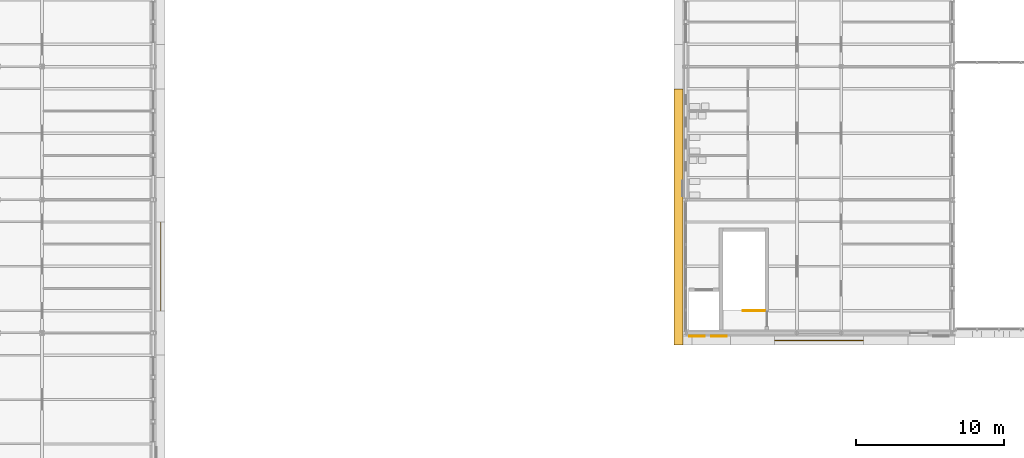
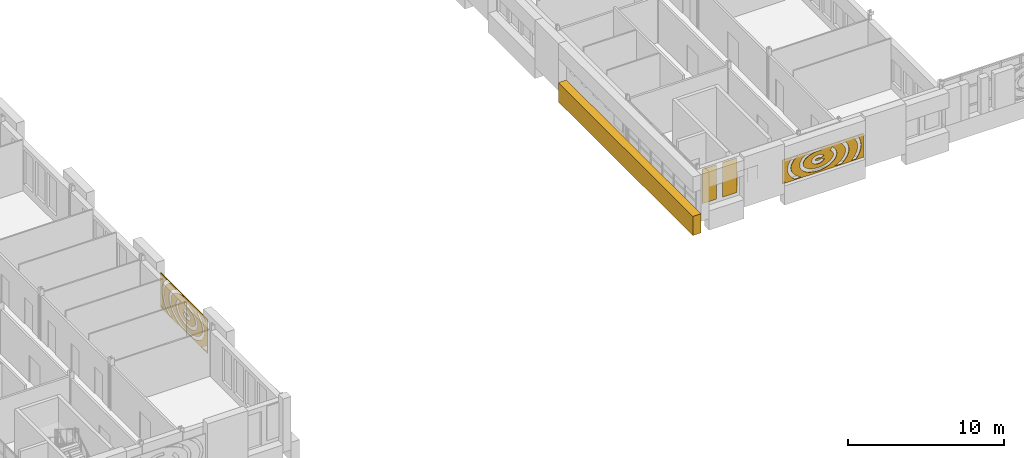
# One storey, part 137 of 154: 5 coverings, 1 railing.
"""IFC4 building model written with IfcOpenShell, lengths in metres."""

from ifc_helpers import new_model, si_unit, direction, frame, origin, origin_2d, place, context, subcontext, project, spatial, polyline, circle, outline, extrude, material, layer, layer_set, type_object, element, save


model = new_model("IFC4")

# Units and contexts
model_context = context("Model", 3, precision=1e-05, world=origin(), true_north=direction((0.0, 1.0)))
body_context = subcontext(model_context, "Body", "Model", "MODEL_VIEW")
ifc_project = project(units=[si_unit("LENGTHUNIT", "METRE"), si_unit("AREAUNIT", "SQUARE_METRE"), si_unit("VOLUMEUNIT", "CUBIC_METRE"), si_unit("PLANEANGLEUNIT", "RADIAN"), si_unit("MASSUNIT", "GRAM", prefix="KILO")], contexts=[model_context])

# Site, building, storey
site_placement = place(None, origin())
site = spatial("IfcSite", under=ifc_project, at=site_placement, CompositionType="ELEMENT")
building_placement = place(site_placement, origin())
building = spatial("IfcBuilding", under=site, at=building_placement, Name="Golden Quay Civic Hall", CompositionType="ELEMENT")
storey_placement = place(building_placement, frame((0.0, 0.0, 14.39990234375)))
storey = spatial("IfcBuildingStorey", under=building, at=storey_placement, Name="L03", CompositionType="ELEMENT", Elevation=14.39990234375)

# Coverings
ifc_material_1 = material(Name="Aluminium, golden anodised, perforated", Category="aluminium")
ifc_layer_1 = layer(ifc_material_1, 0.0400390625)
ifc_layer_set_1 = layer_set([ifc_layer_1], Name="Perforated screen panel 6000 x 1880 x 40")
covering_type_1 = type_object("IfcCoveringType", Name="Perforated screen panel 6000 x 1880 x 40", PredefinedType="CLADDING", material=ifc_layer_set_1)
covering_1_placement = place(storey_placement, frame((63.0, -0.5, 1.5400390625), z_axis=(0.0, -1.0, 0.0), x_axis=(1.0, 0.0, 0.0)))
element("IfcCovering", 1, at=covering_1_placement, inside=storey, type_object=covering_type_1, Name="Perforated screen panel 6000 x 1880 x 40 L03 2", PredefinedType="CLADDING", context=body_context, shape_type="SweptSolid", body=[
    extrude(outline(polyline([(-3.0, -0.93994140625), (3.0, -0.93994140625), (3.0, 0.93994140625), (-3.0, 0.93994140625), (-3.0, -0.93994140625)]), holes=[polyline([(-0.148681640625, 0.11083984375), (-0.189208984375, 0.136962890625), (-0.24951171875, 0.158447265625), (-0.32177734375, 0.169677734375), (-0.37255859375, 0.169921875), (-0.422119140625, 0.164306640625), (-0.48828125, 0.146484375), (-0.53759765625, 0.12158203125), (-0.55810546875, 0.1044921875), (-0.571533203125, 0.08642578125), (-0.571044921875, 0.07275390625), (-0.556396484375, 0.053466796875), (-0.534423828125, 0.036376953125), (-0.502685546875, 0.019287109375), (-0.462646484375, 0.0048828125), (-0.41650390625, -0.00537109375), (-0.34130859375, -0.010498046875), (-0.26708984375, -0.00244140625), (-0.202880859375, 0.016845703125), (-0.169921875, 0.03369140625), (-0.146484375, 0.051025390625), (-0.133056640625, 0.06591796875), (-0.124267578125, 0.08349609375), (0.106201171875, -0.02099609375), (0.077880859375, -0.073974609375), (0.04541015625, -0.114990234375), (-0.001220703125, -0.156982421875), (-0.04150390625, -0.184326171875), (-0.100830078125, -0.214599609375), (-0.1748046875, -0.240234375), (-0.220947265625, -0.251220703125), (-0.2998046875, -0.26171875), (-0.37255859375, -0.262939453125), (-0.412353515625, -0.260498046875), (-0.49853515625, -0.2470703125), (-0.56591796875, -0.2275390625), (-0.6015625, -0.21337890625), (-0.668212890625, -0.17822265625), (-0.7080078125, -0.149658203125), (-0.736328125, -0.1240234375), (-0.761962890625, -0.095703125), (-0.7841796875, -0.064208984375), (-0.802490234375, -0.02978515625), (-0.81591796875, 0.007080078125), (-0.825927734375, 0.06591796875), (-0.822509765625, 0.123779296875), (-0.813232421875, 0.16162109375), (-0.799072265625, 0.197021484375), (-0.780517578125, 0.229736328125), (-0.758544921875, 0.260009765625), (-0.70556640625, 0.3115234375), (-0.6435546875, 0.352783203125), (-0.574462890625, 0.384521484375), (-0.5, 0.40673828125), (-0.461181640625, 0.414306640625), (-0.389404296875, 0.42236328125), (-0.30908203125, 0.422119140625), (-0.261962890625, 0.417724609375), (-0.183837890625, 0.402587890625), (-0.11767578125, 0.38134765625), (-0.073974609375, 0.362060546875), (-0.017578125, 0.328857421875), (0.021240234375, 0.29833984375), (0.063720703125, 0.25341796875), (-0.12939453125, 0.090087890625), (-0.148681640625, 0.11083984375)]), polyline([(-0.28271484375, 0.727294921875), (-0.37158203125, 0.728515625), (-0.460205078125, 0.725341796875), (-0.54833984375, 0.718017578125), (-0.63525390625, 0.70654296875), (-0.72021484375, 0.69140625), (-0.802734375, 0.672119140625), (-0.88232421875, 0.64892578125), (-0.95849609375, 0.62255859375), (-1.030517578125, 0.592529296875), (-1.098388671875, 0.559814453125), (-1.1611328125, 0.524169921875), (-1.21875, 0.486083984375), (-1.27099609375, 0.4462890625), (-1.317138671875, 0.404541015625), (-1.357421875, 0.36181640625), (-1.391357421875, 0.318115234375), (-1.419189453125, 0.274169921875), (-1.441162109375, 0.230224609375), (-1.457275390625, 0.186279296875), (-1.4677734375, 0.142578125), (-1.472900390625, 0.09912109375), (-1.472412109375, 0.0556640625), (-1.466796875, 0.01220703125), (-1.455810546875, -0.031494140625), (-1.43896484375, -0.075439453125), (-1.416259765625, -0.119384765625), (-1.3876953125, -0.163330078125), (-1.352783203125, -0.206787109375), (-1.31201171875, -0.24951171875), (-1.264892578125, -0.291015625), (-1.21240234375, -0.330810546875), (-1.154052734375, -0.368408203125), (-1.090576171875, -0.40380859375), (-1.022216796875, -0.436279296875), (-0.94970703125, -0.4658203125), (-0.873046875, -0.491943359375), (-0.793212890625, -0.514404296875), (-0.710205078125, -0.533203125), (-0.625, -0.548095703125), (-0.5380859375, -0.55908203125), (-0.449951171875, -0.56591796875), (-0.361083984375, -0.568603515625), (-0.272216796875, -0.56689453125), (-0.18359375, -0.561279296875), (-0.096435546875, -0.55126953125), (-0.0107421875, -0.537353515625), (0.07275390625, -0.51953125), (0.153564453125, -0.497802734375), (0.23095703125, -0.47265625), (0.3046875, -0.44384765625), (0.3740234375, -0.412109375), (0.438720703125, -0.37744140625), (0.498291015625, -0.34033203125), (0.552490234375, -0.301025390625), (0.600830078125, -0.260009765625), (0.643310546875, -0.217529296875), (0.6796875, -0.17431640625), (0.709716796875, -0.13037109375), (0.73388671875, -0.086181640625), (0.752197265625, -0.042236328125), (0.7646484375, 0.00146484375), (0.771484375, 0.044921875), (0.773193359375, 0.08837890625), (0.76953125, 0.1318359375), (0.760498046875, 0.17529296875), (0.745849609375, 0.21923828125), (0.725341796875, 0.26318359375), (0.698974609375, 0.307373046875), (0.666259765625, 0.35107421875), (0.627685546875, 0.39404296875), (0.5830078125, 0.43603515625), (0.528564453125, 0.4794921875), (0.6865234375, 0.677001953125), (0.74462890625, 0.630615234375), (0.8046875, 0.57470703125), (0.8583984375, 0.515625), (0.905517578125, 0.453369140625), (0.945556640625, 0.3876953125), (0.97802734375, 0.3193359375), (1.002685546875, 0.24853515625), (1.018798828125, 0.17578125), (1.02587890625, 0.10205078125), (1.02392578125, 0.027587890625), (1.01318359375, -0.046142578125), (0.993408203125, -0.11865234375), (0.96484375, -0.189208984375), (0.928466796875, -0.25732421875), (0.884521484375, -0.322509765625), (0.83349609375, -0.38427734375), (0.768310546875, -0.449462890625), (0.704833984375, -0.5029296875), (0.643310546875, -0.547607421875), (0.561767578125, -0.598388671875), (0.48291015625, -0.640380859375), (0.399658203125, -0.67822265625), (0.312744140625, -0.7119140625), (0.228759765625, -0.7392578125), (0.12890625, -0.76611328125), (0.032958984375, -0.78662109375), (-0.06494140625, -0.80224609375), (-0.164306640625, -0.813232421875), (-0.2646484375, -0.819580078125), (-0.359619140625, -0.8212890625), (-0.460205078125, -0.818603515625), (-0.560546875, -0.81103515625), (-0.659423828125, -0.798828125), (-0.76318359375, -0.780517578125), (-0.852294921875, -0.760498046875), (-0.945068359375, -0.734375), (-1.03466796875, -0.7041015625), (-1.12060546875, -0.669189453125), (-1.202880859375, -0.63037109375), (-1.280517578125, -0.58740234375), (-1.361083984375, -0.535400390625), (-1.421142578125, -0.489990234375), (-1.4833984375, -0.435546875), (-1.546875, -0.369140625), (-1.59619140625, -0.306640625), (-1.63818359375, -0.24072265625), (-1.6669921875, -0.184814453125), (-1.694580078125, -0.11474609375), (-1.7138671875, -0.042724609375), (-1.724365234375, 0.03076171875), (-1.724853515625, 0.12060546875), (-1.715576171875, 0.194091796875), (-1.70166015625, 0.252197265625), (-1.67626953125, 0.32373046875), (-1.642822265625, 0.392822265625), (-1.6015625, 0.458984375), (-1.552978515625, 0.52197265625), (-1.497802734375, 0.58154296875), (-1.436279296875, 0.637451171875), (-1.36181640625, 0.69482421875), (-1.28955078125, 0.7421875), (-1.219482421875, 0.78173828125), (-1.130615234375, 0.824951171875), (-1.0517578125, 0.857666015625), (-0.98779296875, 0.8798828125), (-0.085693359375, 0.8798828125), (-0.103515625, 0.71240234375), (-0.194091796875, 0.72216796875), (-0.28271484375, 0.727294921875)]), polyline([(-1.856689453125, 0.8798828125), (-1.965087890625, 0.802001953125), (-2.039794921875, 0.73876953125), (-2.107177734375, 0.673095703125), (-2.167236328125, 0.605712890625), (-2.219482421875, 0.536865234375), (-2.26416015625, 0.466552734375), (-2.30126953125, 0.395751953125), (-2.330322265625, 0.32421875), (-2.35205078125, 0.252197265625), (-2.3662109375, 0.180419921875), (-2.372802734375, 0.108154296875), (-2.3720703125, 0.0361328125), (-2.36376953125, -0.035888671875), (-2.347900390625, -0.10791015625), (-2.32470703125, -0.1796875), (-2.293701171875, -0.251220703125), (-2.255126953125, -0.322021484375), (-2.208740234375, -0.391845703125), (-2.15478515625, -0.46044921875), (-2.093017578125, -0.527587890625), (-2.024169921875, -0.5927734375), (-1.947998046875, -0.655517578125), (-1.86474609375, -0.715576171875), (-1.77490234375, -0.7724609375), (-1.67919921875, -0.825927734375), (-1.568115234375, -0.8798828125), (-2.06884765625, -0.8798828125), (-2.09912109375, -0.858154296875), (-2.18798828125, -0.78515625), (-2.2763671875, -0.701904296875), (-2.34423828125, -0.628173828125), (-2.41064453125, -0.544189453125), (-2.468994140625, -0.457275390625), (-2.5185546875, -0.3671875), (-2.55908203125, -0.27490234375), (-2.590576171875, -0.18017578125), (-2.6123046875, -0.083740234375), (-2.6240234375, 0.013916015625), (-2.625732421875, 0.11181640625), (-2.617431640625, 0.2099609375), (-2.59619140625, 0.3193359375), (-2.56689453125, 0.414306640625), (-2.5283203125, 0.50732421875), (-2.48046875, 0.597900390625), (-2.424072265625, 0.685546875), (-2.365478515625, 0.7626953125), (-2.293212890625, 0.8447265625), (-2.257080078125, 0.8798828125), (-1.856689453125, 0.8798828125)]), polyline([(0.867919921875, -0.8798828125), (0.981689453125, -0.82470703125), (1.077392578125, -0.77099609375), (1.1669921875, -0.714111328125), (1.25, -0.65380859375), (1.325927734375, -0.591064453125), (1.394775390625, -0.52587890625), (1.456298828125, -0.458740234375), (1.510009765625, -0.39013671875), (1.55615234375, -0.3203125), (1.5947265625, -0.24951171875), (1.62548828125, -0.177978515625), (1.6484375, -0.106201171875), (1.6640625, -0.0341796875), (1.672119140625, 0.037841796875), (1.672607421875, 0.110107421875), (1.666015625, 0.18212890625), (1.651611328125, 0.254150390625), (1.6298828125, 0.325927734375), (1.600341796875, 0.3974609375), (1.563232421875, 0.468505859375), (1.518310546875, 0.53857421875), (1.4658203125, 0.607421875), (1.405517578125, 0.6748046875), (1.337890625, 0.740234375), (1.26318359375, 0.803466796875), (1.156982421875, 0.8798828125), (1.557373046875, 0.8798828125), (1.59130859375, 0.8466796875), (1.663818359375, 0.7646484375), (1.72265625, 0.687744140625), (1.779296875, 0.60009765625), (1.83203125, 0.499267578125), (1.865966796875, 0.416748046875), (1.8955078125, 0.321533203125), (1.9169921875, 0.21240234375), (1.925048828125, 0.127197265625), (1.925048828125, 0.029296875), (1.91259765625, -0.081298828125), (1.89111328125, -0.177734375), (1.860107421875, -0.2724609375), (1.819580078125, -0.364990234375), (1.770263671875, -0.455078125), (1.71240234375, -0.5419921875), (1.652099609375, -0.61865234375), (1.578125, -0.7001953125), (1.49658203125, -0.777587890625), (1.40771484375, -0.851318359375), (1.368896484375, -0.8798828125), (0.867919921875, -0.8798828125)]), polyline([(-2.93994140625, -0.732177734375), (-2.83642578125, -0.843017578125), (-2.79638671875, -0.8798828125), (-2.93994140625, -0.8798828125), (-2.93994140625, -0.732177734375)]), polyline([(2.178955078125, -0.80029296875), (2.255615234375, -0.71533203125), (2.323974609375, -0.62841796875), (2.38427734375, -0.5400390625), (2.436279296875, -0.4501953125), (2.47998046875, -0.359375), (2.51513671875, -0.267578125), (2.5419921875, -0.17529296875), (2.560791015625, -0.082763671875), (2.571044921875, 0.010009765625), (2.5732421875, 0.10302734375), (2.56689453125, 0.196044921875), (2.552490234375, 0.288818359375), (2.52978515625, 0.381103515625), (2.498779296875, 0.47314453125), (2.459228515625, 0.564453125), (2.41162109375, 0.65478515625), (2.35546875, 0.744140625), (2.291015625, 0.831787109375), (2.25048828125, 0.8798828125), (2.568603515625, 0.8798828125), (2.6328125, 0.77734375), (2.685302734375, 0.67822265625), (2.73291015625, 0.568603515625), (2.774169921875, 0.447021484375), (2.801513671875, 0.3330078125), (2.819091796875, 0.218505859375), (2.826171875, 0.10302734375), (2.822998046875, -0.01220703125), (2.809814453125, -0.127197265625), (2.7890625, -0.23046875), (2.753173828125, -0.353515625), (2.710205078125, -0.464111328125), (2.662109375, -0.56396484375), (2.595947265625, -0.678466796875), (2.525390625, -0.781494140625), (2.447509765625, -0.8798828125), (2.097412109375, -0.8798828125), (2.178955078125, -0.80029296875)])]), origin(), (0.0, 0.0, 1.0), 0.0400390625),
])
ifc_material_2 = material(Name="Aluminium, golden anodised, perforated", Category="aluminium")
ifc_layer_2 = layer(ifc_material_2, 0.0400390625)
ifc_layer_set_2 = layer_set([ifc_layer_2], Name="Perforated screen panel 6000 x 2700 x 40")
covering_type_2 = type_object("IfcCoveringType", Name="Perforated screen panel 6000 x 2700 x 40", PredefinedType="CLADDING", material=ifc_layer_set_2)
covering_2_placement = place(storey_placement, frame((18.5, 4.5, 1.9501953125), z_axis=(1.0, 0.0, 0.0), x_axis=(0.0, 1.0, 0.0)))
element("IfcCovering", 2, at=covering_2_placement, inside=storey, type_object=covering_type_2, Name="Perforated screen panel 6000 x 2700 x 40 L03 4", PredefinedType="CLADDING", context=body_context, shape_type="SweptSolid", body=[
    extrude(outline(polyline([(-3.0, -1.35009765625), (3.0, -1.35009765625), (3.0, 1.35009765625), (-3.0, 1.35009765625), (-3.0, -1.35009765625)]), holes=[polyline([(-0.14599609375, 0.114013671875), (-0.1875, 0.140625), (-0.248291015625, 0.16259765625), (-0.321533203125, 0.173828125), (-0.372802734375, 0.17431640625), (-0.446533203125, 0.163818359375), (-0.5087890625, 0.142578125), (-0.5517578125, 0.1162109375), (-0.575439453125, 0.088134765625), (-0.577392578125, 0.07763671875), (-0.57177734375, 0.065185546875), (-0.55908203125, 0.050537109375), (-0.53662109375, 0.03271484375), (-0.485107421875, 0.007568359375), (-0.4169921875, -0.009521484375), (-0.36669921875, -0.014404296875), (-0.3154296875, -0.013427734375), (-0.26611328125, -0.006591796875), (-0.22119140625, 0.00537109375), (-0.183349609375, 0.021240234375), (-0.154296875, 0.0390625), (-0.129638671875, 0.063232421875), (-0.120361328125, 0.08154296875), (0.102294921875, -0.019287109375), (0.07421875, -0.07177734375), (0.042236328125, -0.11181640625), (-0.00390625, -0.153564453125), (-0.043701171875, -0.1806640625), (-0.1025390625, -0.210693359375), (-0.176025390625, -0.236083984375), (-0.2216796875, -0.246826171875), (-0.2998046875, -0.25732421875), (-0.372314453125, -0.2587890625), (-0.412109375, -0.25634765625), (-0.49755859375, -0.242919921875), (-0.564453125, -0.223388671875), (-0.599853515625, -0.209716796875), (-0.666015625, -0.174560546875), (-0.705078125, -0.146484375), (-0.7333984375, -0.12109375), (-0.758544921875, -0.093017578125), (-0.780517578125, -0.06201171875), (-0.798583984375, -0.0283203125), (-0.811767578125, 0.008056640625), (-0.821533203125, 0.066162109375), (-0.818359375, 0.123046875), (-0.809326171875, 0.159912109375), (-0.79541015625, 0.195068359375), (-0.777099609375, 0.227294921875), (-0.75537109375, 0.257080078125), (-0.702880859375, 0.30810546875), (-0.6416015625, 0.34912109375), (-0.572998046875, 0.38037109375), (-0.4990234375, 0.402587890625), (-0.460693359375, 0.41015625), (-0.388916015625, 0.41796875), (-0.309326171875, 0.41796875), (-0.262451171875, 0.41357421875), (-0.184814453125, 0.398681640625), (-0.118896484375, 0.37744140625), (-0.075927734375, 0.3583984375), (-0.02001953125, 0.3251953125), (0.018310546875, 0.295166015625), (0.060546875, 0.25048828125), (-0.126220703125, 0.0927734375), (-0.14599609375, 0.114013671875)]), polyline([(-0.282470703125, 0.731689453125), (-0.37158203125, 0.732666015625), (-0.460693359375, 0.7294921875), (-0.548828125, 0.72216796875), (-0.635986328125, 0.710693359375), (-0.720947265625, 0.6953125), (-0.8037109375, 0.676025390625), (-0.883544921875, 0.653076171875), (-0.9599609375, 0.62646484375), (-1.0322265625, 0.596435546875), (-1.100341796875, 0.5634765625), (-1.163330078125, 0.52783203125), (-1.22119140625, 0.48974609375), (-1.273681640625, 0.449462890625), (-1.320068359375, 0.40771484375), (-1.360595703125, 0.364501953125), (-1.394775390625, 0.32080078125), (-1.423095703125, 0.2763671875), (-1.445068359375, 0.231689453125), (-1.46142578125, 0.1875), (-1.471923828125, 0.143310546875), (-1.47705078125, 0.099365234375), (-1.476806640625, 0.055419921875), (-1.470947265625, 0.011474609375), (-1.459716796875, -0.03271484375), (-1.44287109375, -0.0771484375), (-1.419921875, -0.12158203125), (-1.39111328125, -0.166015625), (-1.356201171875, -0.209716796875), (-1.31494140625, -0.252685546875), (-1.267578125, -0.294189453125), (-1.214599609375, -0.334228515625), (-1.15625, -0.372314453125), (-1.092529296875, -0.40771484375), (-1.02392578125, -0.440185546875), (-0.951171875, -0.4697265625), (-0.874267578125, -0.49609375), (-0.794189453125, -0.5185546875), (-0.711181640625, -0.53759765625), (-0.625732421875, -0.552490234375), (-0.53857421875, -0.563232421875), (-0.4501953125, -0.570068359375), (-0.361083984375, -0.57275390625), (-0.27197265625, -0.5712890625), (-0.183349609375, -0.5654296875), (-0.095703125, -0.555419921875), (-0.010009765625, -0.54150390625), (0.07373046875, -0.523681640625), (0.15478515625, -0.501953125), (0.232421875, -0.4765625), (0.306396484375, -0.447998046875), (0.3759765625, -0.416015625), (0.44091796875, -0.381103515625), (0.500732421875, -0.343994140625), (0.55517578125, -0.304443359375), (0.603759765625, -0.26318359375), (0.646484375, -0.220458984375), (0.68310546875, -0.1767578125), (0.71337890625, -0.132568359375), (0.73779296875, -0.088134765625), (0.756103515625, -0.043701171875), (0.768798828125, 0.00048828125), (0.77587890625, 0.04443359375), (0.777587890625, 0.08837890625), (0.773681640625, 0.13232421875), (0.764404296875, 0.176513671875), (0.749755859375, 0.220703125), (0.72900390625, 0.265380859375), (0.702392578125, 0.309814453125), (0.669677734375, 0.353759765625), (0.630615234375, 0.39697265625), (0.585693359375, 0.439208984375), (0.53125, 0.482666015625), (0.683837890625, 0.673583984375), (0.741943359375, 0.627197265625), (0.8017578125, 0.57177734375), (0.855224609375, 0.512939453125), (0.902099609375, 0.45068359375), (0.94189453125, 0.385498046875), (0.974365234375, 0.317626953125), (0.99853515625, 0.247314453125), (1.014404296875, 0.175048828125), (1.021484375, 0.101806640625), (1.019775390625, 0.02783203125), (1.0087890625, -0.04541015625), (0.9892578125, -0.117431640625), (0.9609375, -0.187744140625), (0.9248046875, -0.25537109375), (0.881103515625, -0.320068359375), (0.830322265625, -0.381591796875), (0.765625, -0.4462890625), (0.702392578125, -0.49951171875), (0.640869140625, -0.544189453125), (0.559814453125, -0.5947265625), (0.481201171875, -0.63671875), (0.398193359375, -0.67431640625), (0.311279296875, -0.7080078125), (0.227294921875, -0.7353515625), (0.1279296875, -0.761962890625), (0.0322265625, -0.7822265625), (-0.0654296875, -0.798095703125), (-0.16455078125, -0.80908203125), (-0.264892578125, -0.8154296875), (-0.359619140625, -0.817138671875), (-0.460205078125, -0.814208984375), (-0.56005859375, -0.806884765625), (-0.658935546875, -0.79443359375), (-0.76220703125, -0.776611328125), (-0.851318359375, -0.756103515625), (-0.94384765625, -0.730224609375), (-1.033203125, -0.699951171875), (-1.119140625, -0.665283203125), (-1.2080078125, -0.623046875), (-1.278564453125, -0.583740234375), (-1.351318359375, -0.537109375), (-1.426025390625, -0.480712890625), (-1.48046875, -0.4326171875), (-1.536376953125, -0.374755859375), (-1.585693359375, -0.31396484375), (-1.628173828125, -0.249755859375), (-1.663330078125, -0.182861328125), (-1.690673828125, -0.11328125), (-1.709716796875, -0.041748046875), (-1.72021484375, 0.031494140625), (-1.720703125, 0.1201171875), (-1.71142578125, 0.193115234375), (-1.697509765625, 0.251220703125), (-1.67236328125, 0.322265625), (-1.638916015625, 0.390869140625), (-1.597900390625, 0.456787109375), (-1.5498046875, 0.519287109375), (-1.494873046875, 0.57861328125), (-1.43359375, 0.63427734375), (-1.359619140625, 0.69140625), (-1.287353515625, 0.738525390625), (-1.21044921875, 0.78173828125), (-1.12890625, 0.821044921875), (-1.043701171875, 0.856201171875), (-0.95458984375, 0.886962890625), (-0.8623046875, 0.913330078125), (-0.767578125, 0.935302734375), (-0.670654296875, 0.952880859375), (-0.572021484375, 0.965576171875), (-0.477783203125, 0.973388671875), (-0.377197265625, 0.97705078125), (-0.276611328125, 0.975830078125), (-0.176513671875, 0.97021484375), (-0.0771484375, 0.959716796875), (-0.103271484375, 0.716552734375), (-0.19384765625, 0.726318359375), (-0.282470703125, 0.731689453125)]), polyline([(-1.8857421875, 0.8662109375), (-1.9677734375, 0.805419921875), (-2.04248046875, 0.741943359375), (-2.110107421875, 0.676025390625), (-2.17041015625, 0.6083984375), (-2.222900390625, 0.539306640625), (-2.267822265625, 0.46875), (-2.304931640625, 0.3974609375), (-2.33447265625, 0.32568359375), (-2.356201171875, 0.25341796875), (-2.370361328125, 0.180908203125), (-2.377197265625, 0.1083984375), (-2.376220703125, 0.035888671875), (-2.367919921875, -0.03662109375), (-2.35205078125, -0.109130859375), (-2.32861328125, -0.181396484375), (-2.297607421875, -0.2529296875), (-2.2587890625, -0.32421875), (-2.212158203125, -0.394287109375), (-2.157958984375, -0.46337890625), (-2.09619140625, -0.530517578125), (-2.02685546875, -0.595947265625), (-1.950439453125, -0.65869140625), (-1.8671875, -0.718994140625), (-1.777099609375, -0.776123046875), (-1.68115234375, -0.829833984375), (-1.5791015625, -0.8798828125), (-1.471923828125, -0.92578125), (-1.359619140625, -0.9677734375), (-1.2431640625, -1.00537109375), (-1.12255859375, -1.0380859375), (-0.998779296875, -1.066162109375), (-0.8720703125, -1.08935546875), (-0.7431640625, -1.107421875), (-0.612548828125, -1.120361328125), (-0.480712890625, -1.128173828125), (-0.348388671875, -1.130859375), (-0.216064453125, -1.128173828125), (-0.084228515625, -1.1201171875), (0.04638671875, -1.107177734375), (0.17529296875, -1.0888671875), (0.302001953125, -1.065673828125), (0.42578125, -1.037353515625), (0.546142578125, -1.00439453125), (0.66259765625, -0.966796875), (0.774658203125, -0.9248046875), (0.8818359375, -0.878662109375), (0.9833984375, -0.82861328125), (1.07958984375, -0.774658203125), (1.169189453125, -0.717529296875), (1.25244140625, -0.6572265625), (1.32861328125, -0.59423828125), (1.397705078125, -0.52880859375), (1.45947265625, -0.461669921875), (1.513427734375, -0.392578125), (1.559814453125, -0.322509765625), (1.598388671875, -0.251220703125), (1.62939453125, -0.179443359375), (1.652587890625, -0.107421875), (1.668212890625, -0.034912109375), (1.676513671875, 0.03759765625), (1.677001953125, 0.110107421875), (1.670166015625, 0.1826171875), (1.65576171875, 0.255126953125), (1.6337890625, 0.327392578125), (1.604248046875, 0.3994140625), (1.56689453125, 0.470458984375), (1.521728515625, 0.541015625), (1.468994140625, 0.610107421875), (1.40869140625, 0.677734375), (1.3408203125, 0.743408203125), (1.265625, 0.806884765625), (1.18359375, 0.86767578125), (1.094970703125, 0.92529296875), (1.0, 0.979736328125), (0.899169921875, 1.030517578125), (0.79296875, 1.077392578125), (0.681640625, 1.1201171875), (0.56591796875, 1.158447265625), (0.446044921875, 1.192138671875), (0.322998046875, 1.22119140625), (0.19677734375, 1.245361328125), (0.068115234375, 1.264404296875), (-0.062255859375, 1.2783203125), (-0.19384765625, 1.287109375), (-0.300537109375, 1.2900390625), (0.91650390625, 1.2900390625), (1.00634765625, 1.250244140625), (1.11865234375, 1.193359375), (1.219482421875, 1.1357421875), (1.320068359375, 1.0703125), (1.414306640625, 1.0009765625), (1.501708984375, 0.927490234375), (1.581787109375, 0.85009765625), (1.654541015625, 0.769287109375), (1.71923828125, 0.685302734375), (1.775634765625, 0.597900390625), (1.827880859375, 0.49755859375), (1.862060546875, 0.4150390625), (1.891357421875, 0.3203125), (1.9111328125, 0.22412109375), (1.9208984375, 0.126953125), (1.919921875, 0.0166015625), (1.908447265625, -0.080322265625), (1.88720703125, -0.176513671875), (1.856201171875, -0.270751953125), (1.82080078125, -0.35302734375), (1.7666015625, -0.45263671875), (1.708984375, -0.53955078125), (1.642822265625, -0.623291015625), (1.56884765625, -0.70361328125), (1.49365234375, -0.774658203125), (1.39892578125, -0.852783203125), (1.3037109375, -0.921630859375), (1.2021484375, -0.986083984375), (1.094482421875, -1.04638671875), (0.981201171875, -1.101806640625), (0.863037109375, -1.152587890625), (0.740234375, -1.198486328125), (0.61328125, -1.239501953125), (0.4169921875, -1.2900390625), (-1.1171875, -1.2900390625), (-1.31005859375, -1.240478515625), (-1.437255859375, -1.19970703125), (-1.56005859375, -1.15380859375), (-1.678466796875, -1.103271484375), (-1.791748046875, -1.0478515625), (-1.8994140625, -0.98779296875), (-2.001220703125, -0.92333984375), (-2.0966796875, -0.854736328125), (-2.185302734375, -0.781982421875), (-2.26708984375, -0.705322265625), (-2.341064453125, -0.625244140625), (-2.4130859375, -0.53369140625), (-2.46533203125, -0.454833984375), (-2.514892578125, -0.365234375), (-2.555419921875, -0.273193359375), (-2.58642578125, -0.1787109375), (-2.610107421875, -0.070556640625), (-2.62060546875, 0.02685546875), (-2.62109375, 0.12451171875), (-2.611328125, 0.2216796875), (-2.592041015625, 0.318115234375), (-2.56298828125, 0.41259765625), (-2.5244140625, 0.50537109375), (-2.476806640625, 0.595703125), (-2.426513671875, 0.6748046875), (-2.356201171875, 0.767333984375), (-2.28369140625, 0.848388671875), (-2.203857421875, 0.925537109375), (-2.11669921875, 0.999267578125), (-2.0224609375, 1.068603515625), (-1.922119140625, 1.134033203125), (-1.8212890625, 1.19189453125), (-1.69970703125, 0.97998046875), (-1.79736328125, 0.923828125), (-1.8857421875, 0.8662109375)]), polyline([(-2.93994140625, -0.73876953125), (-2.83935546875, -0.84619140625), (-2.750732421875, -0.927490234375), (-2.65478515625, -1.00634765625), (-2.55126953125, -1.081787109375), (-2.44091796875, -1.154052734375), (-2.32373046875, -1.22265625), (-2.19482421875, -1.2900390625), (-2.6796875, -1.2900390625), (-2.69287109375, -1.281005859375), (-2.806884765625, -1.197509765625), (-2.93994140625, -1.085693359375), (-2.93994140625, -0.73876953125)]), polyline([(1.564697265625, -1.254638671875), (1.684814453125, -1.187744140625), (1.798583984375, -1.1171875), (1.905517578125, -1.043212890625), (2.005126953125, -0.966064453125), (2.097412109375, -0.885986328125), (2.18212890625, -0.80322265625), (2.2587890625, -0.718017578125), (2.327392578125, -0.631103515625), (2.387939453125, -0.542236328125), (2.43994140625, -0.4521484375), (2.48388671875, -0.361083984375), (2.519287109375, -0.268798828125), (2.546142578125, -0.176513671875), (2.56494140625, -0.08349609375), (2.5751953125, 0.010009765625), (2.577392578125, 0.103271484375), (2.5712890625, 0.196533203125), (2.556640625, 0.28955078125), (2.533935546875, 0.38232421875), (2.502685546875, 0.474853515625), (2.463134765625, 0.56640625), (2.4150390625, 0.656982421875), (2.35888671875, 0.74658203125), (2.294189453125, 0.83447265625), (2.2216796875, 0.920654296875), (2.14111328125, 1.004638671875), (2.052490234375, 1.086181640625), (1.95654296875, 1.164794921875), (1.853271484375, 1.240478515625), (1.77783203125, 1.2900390625), (2.189208984375, 1.2900390625), (2.314697265625, 1.176513671875), (2.406005859375, 1.081298828125), (2.489013671875, 0.982421875), (2.55859375, 0.8876953125), (2.62451171875, 0.783203125), (2.681396484375, 0.676513671875), (2.72900390625, 0.567138671875), (2.76708984375, 0.455810546875), (2.79541015625, 0.343017578125), (2.814697265625, 0.218017578125), (2.822021484375, 0.103271484375), (2.81884765625, -0.01171875), (2.8056640625, -0.126220703125), (2.784912109375, -0.229736328125), (2.75244140625, -0.34228515625), (2.710205078125, -0.453369140625), (2.65380859375, -0.570556640625), (2.59228515625, -0.676025390625), (2.52197265625, -0.779052734375), (2.443115234375, -0.878662109375), (2.355712890625, -0.97509765625), (2.260498046875, -1.068115234375), (2.162841796875, -1.15283203125), (2.052490234375, -1.238525390625), (1.978515625, -1.2900390625), (1.493408203125, -1.2900390625), (1.564697265625, -1.254638671875)]), polyline([(-2.478271484375, 1.2900390625), (-2.603515625, 1.20458984375), (-2.703369140625, 1.127685546875), (-2.798583984375, 1.045166015625), (-2.93994140625, 1.208251953125), (-2.93994140625, 1.245849609375), (-2.88916015625, 1.2900390625), (-2.478271484375, 1.2900390625)]), polyline([(2.835693359375, -1.205322265625), (2.9345703125, -1.110107421875), (2.93994140625, -1.104248046875), (2.93994140625, -1.2900390625), (2.73779296875, -1.2900390625), (2.835693359375, -1.205322265625)])]), origin(), (0.0, 0.0, 1.0), 0.0400390625),
])

# Railing
ifc_material_3 = material(Name="Steel S355", Category="steel")
railing_type = type_object("IfcRailingType", Name="Steel guard 1100", PredefinedType="GUARDRAIL", material=ifc_material_3)
railing_placement = place(storey_placement, frame((59.35009765625, 1.5, 0.0)))
element("IfcRailing", 3, at=railing_placement, inside=storey, type_object=railing_type, Name="L03 WM-S top well guard 1", PredefinedType="GUARDRAIL", context=body_context, shape_type="SweptSolid", body=[
    extrude(circle(Radius=0.02392578125, at=origin_2d()), frame((0.0, 0.0, 1.076171875), z_axis=(-1.0, 0.0, 0.0), x_axis=(0.0, -1.0, 0.0)), (0.0, 0.0, 1.0), 1.5),
    extrude(circle(Radius=0.02099609375, at=origin_2d()), origin(), (0.0, 0.0, 1.0), 1.052001953125),
    extrude(circle(Radius=0.02099609375, at=origin_2d()), frame((-0.75, 0.0, 0.0)), (0.0, 0.0, 1.0), 1.052001953125),
    extrude(circle(Radius=0.02099609375, at=origin_2d()), frame((-1.5, 0.0, 0.0)), (0.0, 0.0, 1.0), 1.052001953125),
])

# Coverings
ifc_material_4 = material(Name="Terracotta cladding, golden glaze", Category="masonry")
ifc_layer_3 = layer(ifc_material_4, 0.050048828125)
ifc_layer_set_3 = layer_set([ifc_layer_3], Name="Terracotta solid panel 1050 x 2700 x 50")
covering_type_3 = type_object("IfcCoveringType", Name="Terracotta solid panel 1050 x 2700 x 50", PredefinedType="CLADDING", material=ifc_layer_set_3)
covering_3_placement = place(storey_placement, frame((0.0, 0.0, 0.900146484375)))
element("IfcCovering", 4, at=covering_3_placement, inside=storey, type_object=covering_type_3, Name="Terracotta solid panel 1050 x 2700 x 50 L03 20", PredefinedType="CLADDING", context=body_context, shape_type="SweptSolid", body=[
    extrude(outline(polyline([(54.22509765625, -0.199951171875), (55.27490234375, -0.199951171875), (55.27490234375, -0.25), (54.22509765625, -0.25), (54.22509765625, -0.199951171875)])), origin(), (0.0, 0.0, 1.0), 2.699951171875),
])
covering_4_placement = place(storey_placement, frame((0.0, 0.0, 0.900146484375)))
element("IfcCovering", 5, at=covering_4_placement, inside=storey, type_object=covering_type_3, Name="Terracotta solid panel 1050 x 2700 x 50 L03 21", PredefinedType="CLADDING", context=body_context, shape_type="SweptSolid", body=[
    extrude(outline(polyline([(55.72509765625, -0.199951171875), (56.77490234375, -0.199951171875), (56.77490234375, -0.25), (55.72509765625, -0.25), (55.72509765625, -0.199951171875)])), origin(), (0.0, 0.0, 1.0), 2.699951171875),
])
ifc_material_5 = material(Name="Terracotta cladding, golden glaze", Category="masonry")
covering_type_4 = type_object("IfcCoveringType", Name="Terracotta spandrel fascia 600 x 1500", PredefinedType="CLADDING", material=ifc_material_5)
covering_5_placement = place(storey_placement, frame((0.0, 0.0, -0.89990234375)))
element("IfcCovering", 6, at=covering_5_placement, inside=storey, type_object=covering_type_4, Name="Terracotta spandrel fascia 600 x 1500 L03 6", PredefinedType="CLADDING", context=body_context, shape_type="SweptSolid", body=[
    extrude(outline(polyline([(53.800048828125, -0.800048828125), (53.199951171875, -0.800048828125), (53.199951171875, 16.5), (53.800048828125, 16.5), (53.800048828125, -0.199951171875), (53.800048828125, -0.800048828125)])), origin(), (0.0, 0.0, 1.0), 1.5),
])

save(model, "model.ifc")
